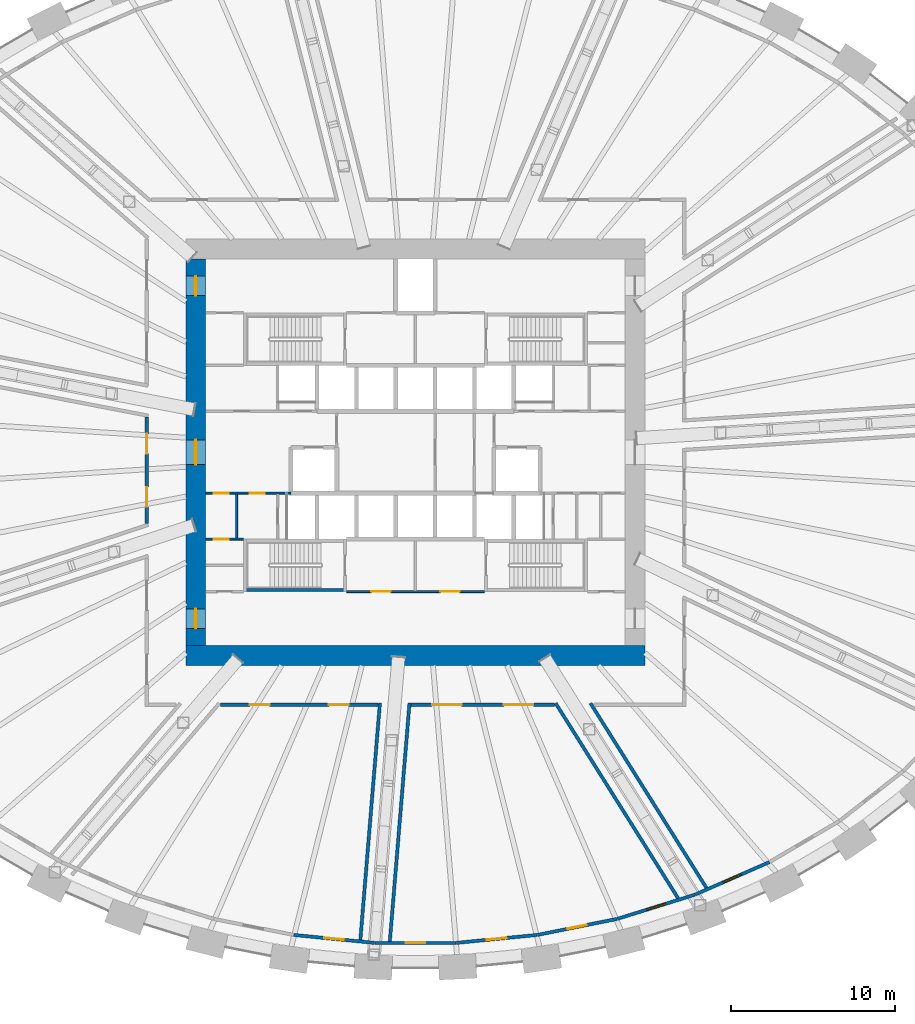
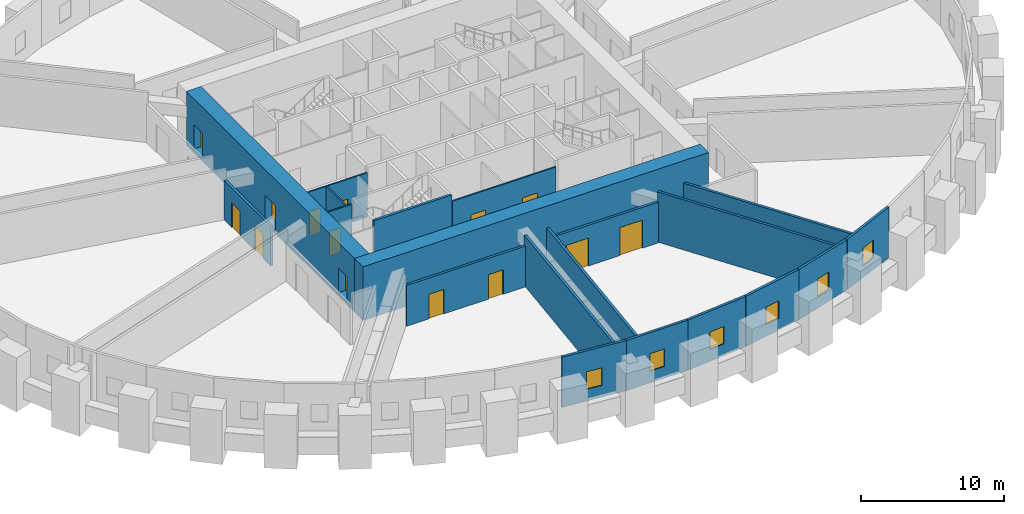
# One storey, part 8 of 14: 20 walls, 14 doors, 6 windows, 20 openings.
"""IFC4 building model written with IfcOpenShell, lengths in metres."""

from ifc_helpers import new_model, si_unit, direction, frame, frame_2d, origin, place, context, subcontext, project, spatial, rectangle, extrude, source, transform, mapped, material, layer, layer_set, type_object, element, fill, save


model = new_model("IFC4")

# Units and contexts
model_context = context("Model", 3, precision=1e-05, world=origin(), true_north=direction((0.0, 1.0)))
body_context = subcontext(model_context, "Body", "Model", "MODEL_VIEW")
ifc_project = project(units=[si_unit("LENGTHUNIT", "METRE"), si_unit("AREAUNIT", "SQUARE_METRE"), si_unit("VOLUMEUNIT", "CUBIC_METRE"), si_unit("PLANEANGLEUNIT", "RADIAN"), si_unit("MASSUNIT", "GRAM", prefix="KILO")], contexts=[model_context])

# Site, building, storey
site_placement = place(None, origin())
site = spatial("IfcSite", under=ifc_project, at=site_placement, CompositionType="ELEMENT")
building_placement = place(site_placement, origin())
building = spatial("IfcBuilding", under=site, at=building_placement, Name="Embergate Tower", CompositionType="ELEMENT")
storey_placement = place(building_placement, frame((0.0, 0.0, 101.0)))
storey = spatial("IfcBuildingStorey", under=building, at=storey_placement, Name="L21", CompositionType="ELEMENT", Elevation=101.0)

# Wall
ifc_material_1 = material(Name="Concrete C80", Category="concrete")
ifc_layer_1 = layer(ifc_material_1, 1.199951171875)
ifc_layer_set_1 = layer_set([ifc_layer_1], Name="Concrete C80")
wall_type_1 = type_object("IfcWallType", Name="Core outer wall C80 1200", PredefinedType="SHEAR", material=ifc_layer_set_1)
shared_shape_1 = source(origin(), body_context, "Body", "SweptSolid", [
    extrude(rectangle(XDim=28.0, YDim=1.199951171875, at=frame_2d((14.0, 0.0))), origin(), (0.0, 0.0, 1.0), 4.60009765625),
])
wall_1_placement = place(storey_placement, frame((-14.0, -12.39990234375, -0.300048828125), z_axis=(0.0, 0.0, 1.0), x_axis=(1.0, 0.0, 0.0)))
element("IfcWall", 1, at=wall_1_placement, inside=storey, type_object=wall_type_1, Name="CW-L21-S", PredefinedType="SHEAR", context=body_context, shape_type="MappedRepresentation", body=[
    mapped(shared_shape_1, transform((0.0, 0.0, 0.0))),
])

# Wall, openings, doors
shared_shape_2 = source(origin(), body_context, "Body", "SweptSolid", [
    extrude(rectangle(XDim=23.60009765625, YDim=1.199951171875, at=frame_2d((11.800048828125, 0.0))), origin(), (0.0, 0.0, 1.0), 4.60009765625),
])
wall_2_placement = place(storey_placement, frame((-13.39990234375, -11.800048828125, -0.300048828125), z_axis=(0.0, 0.0, 1.0), x_axis=(0.0, 1.0, 0.0)))
wall_2 = element("IfcWall", 2, at=wall_2_placement, inside=storey, type_object=wall_type_1, Name="CW-L21-W", PredefinedType="SHEAR", context=body_context, shape_type="MappedRepresentation", body=[
    mapped(shared_shape_2, transform((0.0, 0.0, 0.0))),
])
shared_shape_3 = source(origin(), body_context, "Body", "SweptSolid", [
    extrude(rectangle(XDim=1.199951171875, YDim=2.10009765625, at=frame_2d((0.60009765625, 1.050048828125))), frame((0.0, 0.60986328125, 0.0), z_axis=(0.0, -1.0, 0.0), x_axis=(1.0, 0.0, 0.0)), (0.0, 0.0, 1.0), 1.219970703125),
])
opening_1_placement = place(wall_2_placement, frame((21.35009765625, 0.0, 0.300048828125)))
opening_1 = element("IfcOpeningElement", 3, at=opening_1_placement, cuts=wall_2, Name="Opening IF-1", PredefinedType="OPENING", context=body_context, shape_type="MappedRepresentation", body=[
    mapped(shared_shape_3, transform((0.0, 0.0, 0.0))),
])
opening_2_placement = place(wall_2_placement, frame((1.050048828125, 0.0, 0.300048828125)))
opening_2 = element("IfcOpeningElement", 4, at=opening_2_placement, cuts=wall_2, Name="Opening IF-1", PredefinedType="OPENING", context=body_context, shape_type="MappedRepresentation", body=[
    mapped(shared_shape_3, transform((0.0, 0.0, 0.0))),
])
shared_shape_4 = source(origin(), body_context, "Body", "SweptSolid", [
    extrude(rectangle(XDim=1.5, YDim=2.10009765625, at=frame_2d((0.75, 1.050048828125))), frame((0.0, 0.60986328125, 0.0), z_axis=(0.0, -1.0, 0.0), x_axis=(1.0, 0.0, 0.0)), (0.0, 0.0, 1.0), 1.219970703125),
])
opening_3_placement = place(wall_2_placement, frame((11.050048828125, 0.0, 0.300048828125)))
opening_3 = element("IfcOpeningElement", 5, at=opening_3_placement, cuts=wall_2, Name="Opening IF-3", PredefinedType="OPENING", context=body_context, shape_type="MappedRepresentation", body=[
    mapped(shared_shape_4, transform((0.0, 0.0, 0.0))),
])
ifc_material_2 = material(Name="Escape fire door 1200")
door_type_1 = type_object("IfcDoorType", Name="Escape fire door 1200", OperationType="SINGLE_SWING_LEFT", PredefinedType="DOOR", material=ifc_material_2)
shared_shape_5 = source(origin(), body_context, "Body", "SweptSolid", [
    extrude(rectangle(XDim=1.199951171875, YDim=2.10009765625, at=frame_2d((0.60009765625, 1.050048828125))), frame((0.0, 0.02490234375, 0.0), z_axis=(0.0, -1.0, 0.0), x_axis=(1.0, 0.0, 0.0)), (0.0, 0.0, 1.0), 0.050048828125),
])
door_1_placement = place(opening_1_placement, origin())
door_1 = element("IfcDoor", 6, at=door_1_placement, inside=storey, type_object=door_type_1, Name="IF-1 door", OperationType="SINGLE_SWING_LEFT", OverallHeight=2.10009765625, OverallWidth=1.199951171875, PredefinedType="DOOR", context=body_context, shape_type="MappedRepresentation", body=[
    mapped(shared_shape_5, transform((0.0, 0.0, 0.0))),
])
fill(opening_1, door_1)
door_2_placement = place(opening_2_placement, origin())
door_2 = element("IfcDoor", 7, at=door_2_placement, inside=storey, type_object=door_type_1, Name="IF-1 door", OperationType="SINGLE_SWING_RIGHT", OverallHeight=2.10009765625, OverallWidth=1.199951171875, PredefinedType="DOOR", context=body_context, shape_type="MappedRepresentation", body=[
    mapped(shared_shape_5, transform((0.0, 0.0, 0.0))),
])
fill(opening_2, door_2)
ifc_material_3 = material(Name="Lobby fire door pair 1500")
door_type_2 = type_object("IfcDoorType", Name="Lobby fire door pair 1500", OperationType="DOUBLE_DOOR_SINGLE_SWING", PredefinedType="DOOR", material=ifc_material_3)
shared_shape_6 = source(origin(), body_context, "Body", "SweptSolid", [
    extrude(rectangle(XDim=1.5, YDim=2.10009765625, at=frame_2d((0.75, 1.050048828125))), frame((0.0, 0.02490234375, 0.0), z_axis=(0.0, -1.0, 0.0), x_axis=(1.0, 0.0, 0.0)), (0.0, 0.0, 1.0), 0.050048828125),
])
door_3_placement = place(opening_3_placement, origin())
door_3 = element("IfcDoor", 8, at=door_3_placement, inside=storey, type_object=door_type_2, Name="IF-3 door", OperationType="DOUBLE_DOOR_SINGLE_SWING", OverallHeight=2.10009765625, OverallWidth=1.5, PredefinedType="DOOR", context=body_context, shape_type="MappedRepresentation", body=[
    mapped(shared_shape_6, transform((0.0, 0.0, 0.0))),
])
fill(opening_3, door_3)

# Wall, opening, window
ifc_material_4 = material(Name="Terracotta louvre cladding on insulated backing", Category="masonry")
ifc_layer_2 = layer(ifc_material_4, 0.199951171875)
ifc_layer_set_2 = layer_set([ifc_layer_2], Name="Terracotta louvre cladding on insulated backing")
wall_type_2 = type_object("IfcWallType", Name="Terracotta louvre wall", PredefinedType="SOLIDWALL", material=ifc_layer_set_2)
shared_shape_7 = source(origin(), body_context, "Body", "SweptSolid", [
    extrude(rectangle(XDim=4.9443359375, YDim=0.199951171875, at=frame_2d((2.47216796875, 0.0))), origin(), (0.0, 0.0, 1.0), 4.300048828125),
])
wall_3_placement = place(storey_placement, frame((21.588623046875, -25.009521484375, 0.0), z_axis=(0.0, 0.0, 1.0), x_axis=(-0.916226451808, -0.400660815412, 0.0)))
wall_3 = element("IfcWall", 9, at=wall_3_placement, inside=storey, type_object=wall_type_2, Name="Louvre wall 37", PredefinedType="SOLIDWALL", context=body_context, shape_type="MappedRepresentation", body=[
    mapped(shared_shape_7, transform((0.0, 0.0, 0.0))),
])
shared_shape_8 = source(origin(), body_context, "Body", "SweptSolid", [
    extrude(rectangle(XDim=1.199951171875, YDim=1.5, at=frame_2d((0.60009765625, 0.75))), frame((0.0, 0.10986328125, 0.0), z_axis=(0.0, -1.0, 0.0), x_axis=(1.0, 0.0, 0.0)), (0.0, 0.0, 1.0), 0.219970703125),
])
opening_4_placement = place(wall_3_placement, frame((1.872314453125, 0.0, 1.0)))
opening_4 = element("IfcOpeningElement", 10, at=opening_4_placement, cuts=wall_3, Name="Opening RW", PredefinedType="OPENING", context=body_context, shape_type="MappedRepresentation", body=[
    mapped(shared_shape_8, transform((0.0, 0.0, 0.0))),
])
ifc_material_5 = material(Name="Aluminium, thermally broken, triple glazed", Category="aluminium")
window_type = type_object("IfcWindowType", Name="Refuge operable window", PartitioningType="SINGLE_PANEL", PredefinedType="WINDOW", material=ifc_material_5)
shared_shape_9 = source(origin(), body_context, "Body", "SweptSolid", [
    extrude(rectangle(XDim=1.199951171875, YDim=1.5, at=frame_2d((0.60009765625, 0.75))), frame((0.0, 0.030029296875, 0.0), z_axis=(0.0, -1.0, 0.0), x_axis=(1.0, 0.0, 0.0)), (0.0, 0.0, 1.0), 0.06005859375),
])
window_1_placement = place(opening_4_placement, origin())
window_1 = element("IfcWindow", 11, at=window_1_placement, inside=storey, type_object=window_type, Name="Refuge window 37", OverallHeight=1.5, OverallWidth=1.199951171875, PartitioningType="SINGLE_PANEL", PredefinedType="WINDOW", context=body_context, shape_type="MappedRepresentation", body=[
    mapped(shared_shape_9, transform((0.0, 0.0, 0.0))),
])
fill(opening_4, window_1)

shared_shape_10 = source(origin(), body_context, "Body", "SweptSolid", [
    extrude(rectangle(XDim=4.94775390625, YDim=0.199951171875, at=frame_2d((2.473876953125, 0.0))), origin(), (0.0, 0.0, 1.0), 4.300048828125),
])
wall_4_placement = place(storey_placement, frame((17.039794921875, -26.99755859375, 0.0), z_axis=(0.0, 0.0, 1.0), x_axis=(-0.954768398197, -0.297350476383, 0.0)))
wall_4 = element("IfcWall", 12, at=wall_4_placement, inside=storey, type_object=wall_type_2, Name="Louvre wall 36", PredefinedType="SOLIDWALL", context=body_context, shape_type="MappedRepresentation", body=[
    mapped(shared_shape_10, transform((0.0, 0.0, 0.0))),
])
opening_5_placement = place(wall_4_placement, frame((1.873779296875, 0.0, 1.0)))
opening_5 = element("IfcOpeningElement", 13, at=opening_5_placement, cuts=wall_4, Name="Opening RW", PredefinedType="OPENING", context=body_context, shape_type="MappedRepresentation", body=[
    mapped(shared_shape_8, transform((0.0, 0.0, 0.0))),
])
window_2_placement = place(opening_5_placement, origin())
window_2 = element("IfcWindow", 14, at=window_2_placement, inside=storey, type_object=window_type, Name="Refuge window 36", OverallHeight=1.5, OverallWidth=1.199951171875, PartitioningType="SINGLE_PANEL", PredefinedType="WINDOW", context=body_context, shape_type="MappedRepresentation", body=[
    mapped(shared_shape_9, transform((0.0, 0.0, 0.0))),
])
fill(opening_5, window_2)

shared_shape_11 = source(origin(), body_context, "Body", "SweptSolid", [
    extrude(rectangle(XDim=4.949951171875, YDim=0.199951171875, at=frame_2d((2.47509765625, 0.0))), origin(), (0.0, 0.0, 1.0), 4.300048828125),
])
wall_5_placement = place(storey_placement, frame((12.29638671875, -28.4736328125, 0.0), z_axis=(0.0, 0.0, 1.0), x_axis=(-0.980474299586, -0.196647267591, 0.0)))
wall_5 = element("IfcWall", 15, at=wall_5_placement, inside=storey, type_object=wall_type_2, Name="Louvre wall 35", PredefinedType="SOLIDWALL", context=body_context, shape_type="MappedRepresentation", body=[
    mapped(shared_shape_11, transform((0.0, 0.0, 0.0))),
])
opening_6_placement = place(wall_5_placement, frame((1.875, 0.0, 1.0)))
opening_6 = element("IfcOpeningElement", 16, at=opening_6_placement, cuts=wall_5, Name="Opening RW", PredefinedType="OPENING", context=body_context, shape_type="MappedRepresentation", body=[
    mapped(shared_shape_8, transform((0.0, 0.0, 0.0))),
])
window_3_placement = place(opening_6_placement, origin())
window_3 = element("IfcWindow", 17, at=window_3_placement, inside=storey, type_object=window_type, Name="Refuge window 35", OverallHeight=1.5, OverallWidth=1.199951171875, PartitioningType="SINGLE_PANEL", PredefinedType="WINDOW", context=body_context, shape_type="MappedRepresentation", body=[
    mapped(shared_shape_9, transform((0.0, 0.0, 0.0))),
])
fill(opening_6, window_3)

shared_shape_12 = source(origin(), body_context, "Body", "SweptSolid", [
    extrude(rectangle(XDim=4.951171875, YDim=0.199951171875, at=frame_2d((2.4755859375, 0.0))), origin(), (0.0, 0.0, 1.0), 4.300048828125),
])
wall_6_placement = place(storey_placement, frame((-2.495849609375, -29.934326171875, 0.0), z_axis=(0.0, 0.0, 1.0), x_axis=(-0.995203236417, 0.09782902547, 0.0)))
wall_6 = element("IfcWall", 18, at=wall_6_placement, inside=storey, type_object=wall_type_2, Name="Louvre wall 32", PredefinedType="SOLIDWALL", context=body_context, shape_type="MappedRepresentation", body=[
    mapped(shared_shape_12, transform((0.0, 0.0, 0.0))),
])
opening_7_placement = place(wall_6_placement, frame((1.875732421875, 0.0, 1.0)))
opening_7 = element("IfcOpeningElement", 19, at=opening_7_placement, cuts=wall_6, Name="Opening RW", PredefinedType="OPENING", context=body_context, shape_type="MappedRepresentation", body=[
    mapped(shared_shape_8, transform((0.0, 0.0, 0.0))),
])
window_4_placement = place(opening_7_placement, origin())
window_4 = element("IfcWindow", 20, at=window_4_placement, inside=storey, type_object=window_type, Name="Refuge window 32", OverallHeight=1.5, OverallWidth=1.199951171875, PartitioningType="SINGLE_PANEL", PredefinedType="WINDOW", context=body_context, shape_type="MappedRepresentation", body=[
    mapped(shared_shape_9, transform((0.0, 0.0, 0.0))),
])
fill(opening_7, window_4)

wall_7_placement = place(storey_placement, frame((7.42333984375, -29.449951171875, 0.0), z_axis=(0.0, 0.0, 1.0), x_axis=(-0.995203236417, -0.09782902547, 0.0)))
wall_7 = element("IfcWall", 21, at=wall_7_placement, inside=storey, type_object=wall_type_2, Name="Louvre wall 34", PredefinedType="SOLIDWALL", context=body_context, shape_type="MappedRepresentation", body=[
    mapped(shared_shape_12, transform((0.0, 0.0, 0.0))),
])
opening_8_placement = place(wall_7_placement, frame((1.875732421875, 0.0, 1.0)))
opening_8 = element("IfcOpeningElement", 22, at=opening_8_placement, cuts=wall_7, Name="Opening RW", PredefinedType="OPENING", context=body_context, shape_type="MappedRepresentation", body=[
    mapped(shared_shape_8, transform((0.0, 0.0, 0.0))),
])
window_5_placement = place(opening_8_placement, origin())
window_5 = element("IfcWindow", 23, at=window_5_placement, inside=storey, type_object=window_type, Name="Refuge window 34", OverallHeight=1.5, OverallWidth=1.199951171875, PartitioningType="SINGLE_PANEL", PredefinedType="WINDOW", context=body_context, shape_type="MappedRepresentation", body=[
    mapped(shared_shape_9, transform((0.0, 0.0, 0.0))),
])
fill(opening_8, window_5)

shared_shape_13 = source(origin(), body_context, "Body", "SweptSolid", [
    extrude(rectangle(XDim=4.95166015625, YDim=0.199951171875, at=frame_2d((2.475830078125, 0.0))), origin(), (0.0, 0.0, 1.0), 4.300048828125),
])
wall_8_placement = place(storey_placement, frame((2.475830078125, -29.935302734375, 0.0), z_axis=(0.0, 0.0, 1.0), x_axis=(-1.0, 0.0, 0.0)))
wall_8 = element("IfcWall", 24, at=wall_8_placement, inside=storey, type_object=wall_type_2, Name="Louvre wall 33", PredefinedType="SOLIDWALL", context=body_context, shape_type="MappedRepresentation", body=[
    mapped(shared_shape_13, transform((0.0, 0.0, 0.0))),
])
opening_9_placement = place(wall_8_placement, frame((1.8759765625, 0.0, 1.0)))
opening_9 = element("IfcOpeningElement", 25, at=opening_9_placement, cuts=wall_8, Name="Opening RW", PredefinedType="OPENING", context=body_context, shape_type="MappedRepresentation", body=[
    mapped(shared_shape_8, transform((0.0, 0.0, 0.0))),
])
window_6_placement = place(opening_9_placement, origin())
window_6 = element("IfcWindow", 26, at=window_6_placement, inside=storey, type_object=window_type, Name="Refuge window 33", OverallHeight=1.5, OverallWidth=1.199951171875, PartitioningType="SINGLE_PANEL", PredefinedType="WINDOW", context=body_context, shape_type="MappedRepresentation", body=[
    mapped(shared_shape_9, transform((0.0, 0.0, 0.0))),
])
fill(opening_9, window_6)

# Wall
ifc_material_6 = material(Name="Concrete C50", Category="concrete")
ifc_layer_3 = layer(ifc_material_6, 0.199951171875)
ifc_layer_set_3 = layer_set([ifc_layer_3], Name="Concrete C50")
wall_type_3 = type_object("IfcWallType", Name="Stair enclosure wall reinforced concrete 250", PredefinedType="SHEAR", material=ifc_layer_set_3)
shared_shape_14 = source(origin(), body_context, "Body", "SweptSolid", [
    extrude(rectangle(XDim=6.300048828125, YDim=0.199951171875, at=frame_2d((3.14990234375, 0.0))), origin(), (0.0, 0.0, 1.0), 4.300048828125),
])
wall_9_placement = place(storey_placement, frame((-10.5, -8.39990234375, 0.0), z_axis=(0.0, 0.0, 1.0), x_axis=(1.0, 0.0, 0.0)))
element("IfcWall", 27, at=wall_9_placement, inside=storey, type_object=wall_type_3, Name="SE-1 wall", PredefinedType="SHEAR", context=body_context, shape_type="MappedRepresentation", body=[
    mapped(shared_shape_14, transform((0.0, 0.0, 0.0))),
])

# Wall, openings, doors
ifc_material_7 = material(Name="Core partition blockwork 120")
ifc_layer_4 = layer(ifc_material_7, 0.1201171875)
ifc_layer_set_4 = layer_set([ifc_layer_4], Name="Core partition blockwork 120")
wall_type_4 = type_object("IfcWallType", Name="Core partition blockwork 120", PredefinedType="PARTITIONING", material=ifc_layer_set_4)
shared_shape_15 = source(origin(), body_context, "Body", "SweptSolid", [
    extrude(rectangle(XDim=5.199951171875, YDim=0.1201171875, at=frame_2d((2.60009765625, 0.0))), origin(), (0.0, 0.0, 1.0), 3.800048828125),
])
wall_10_placement = place(storey_placement, frame((-7.60009765625, -2.5, 0.0), z_axis=(0.0, 0.0, 1.0), x_axis=(-1.0, 0.0, 0.0)))
wall_10 = element("IfcWall", 28, at=wall_10_placement, inside=storey, type_object=wall_type_4, Name="IP-3 wall", PredefinedType="PARTITIONING", context=body_context, shape_type="MappedRepresentation", body=[
    mapped(shared_shape_15, transform((0.0, 0.0, 0.0))),
])
shared_shape_16 = source(origin(), body_context, "Body", "SweptSolid", [
    extrude(rectangle(XDim=0.89990234375, YDim=2.10009765625, at=frame_2d((0.449951171875, 1.050048828125))), frame((0.0, 0.070068359375, 0.0), z_axis=(0.0, -1.0, 0.0), x_axis=(1.0, 0.0, 0.0)), (0.0, 0.0, 1.0), 0.14013671875),
])
opening_10_placement = place(wall_10_placement, frame((3.803955078125, 0.0, 0.0)))
opening_10 = element("IfcOpeningElement", 29, at=opening_10_placement, cuts=wall_10, Name="Opening ID-1", PredefinedType="OPENING", context=body_context, shape_type="MappedRepresentation", body=[
    mapped(shared_shape_16, transform((0.0, 0.0, 0.0))),
])
opening_11_placement = place(wall_10_placement, frame((1.60400390625, 0.0, 0.0)))
opening_11 = element("IfcOpeningElement", 30, at=opening_11_placement, cuts=wall_10, Name="Opening ID-1", PredefinedType="OPENING", context=body_context, shape_type="MappedRepresentation", body=[
    mapped(shared_shape_16, transform((0.0, 0.0, 0.0))),
])
ifc_material_8 = material(Name="Interior door 900")
door_type_3 = type_object("IfcDoorType", Name="Interior door 900", OperationType="SINGLE_SWING_LEFT", PredefinedType="DOOR", material=ifc_material_8)
shared_shape_17 = source(origin(), body_context, "Body", "SweptSolid", [
    extrude(rectangle(XDim=0.89990234375, YDim=2.10009765625, at=frame_2d((0.449951171875, 1.050048828125))), frame((0.0, 0.02490234375, 0.0), z_axis=(0.0, -1.0, 0.0), x_axis=(1.0, 0.0, 0.0)), (0.0, 0.0, 1.0), 0.050048828125),
])
door_4_placement = place(opening_10_placement, origin())
door_4 = element("IfcDoor", 31, at=door_4_placement, inside=storey, type_object=door_type_3, Name="ID-1 door", OperationType="SINGLE_SWING_LEFT", OverallHeight=2.10009765625, OverallWidth=0.89990234375, PredefinedType="DOOR", context=body_context, shape_type="MappedRepresentation", body=[
    mapped(shared_shape_17, transform((0.0, 0.0, 0.0))),
])
fill(opening_10, door_4)
door_5_placement = place(opening_11_placement, origin())
door_5 = element("IfcDoor", 32, at=door_5_placement, inside=storey, type_object=door_type_3, Name="ID-1 door", OperationType="SINGLE_SWING_RIGHT", OverallHeight=2.10009765625, OverallWidth=0.89990234375, PredefinedType="DOOR", context=body_context, shape_type="MappedRepresentation", body=[
    mapped(shared_shape_17, transform((0.0, 0.0, 0.0))),
])
fill(opening_11, door_5)

shared_shape_18 = source(origin(), body_context, "Body", "SweptSolid", [
    extrude(rectangle(XDim=8.39990234375, YDim=0.1201171875, at=frame_2d((4.199951171875, 0.0))), origin(), (0.0, 0.0, 1.0), 3.800048828125),
])
wall_11_placement = place(storey_placement, frame((-4.199951171875, -8.5, 0.0), z_axis=(0.0, 0.0, 1.0), x_axis=(1.0, 0.0, 0.0)))
wall_11 = element("IfcWall", 33, at=wall_11_placement, inside=storey, type_object=wall_type_4, Name="IP-3 wall", PredefinedType="PARTITIONING", context=body_context, shape_type="MappedRepresentation", body=[
    mapped(shared_shape_18, transform((0.0, 0.0, 0.0))),
])
shared_shape_19 = source(origin(), body_context, "Body", "SweptSolid", [
    extrude(rectangle(XDim=1.199951171875, YDim=2.10009765625, at=frame_2d((0.60009765625, 1.050048828125))), frame((0.0, 0.070068359375, 0.0), z_axis=(0.0, -1.0, 0.0), x_axis=(1.0, 0.0, 0.0)), (0.0, 0.0, 1.0), 0.14013671875),
])
opening_12_placement = place(wall_11_placement, frame((1.5, 0.0, 0.0)))
opening_12 = element("IfcOpeningElement", 34, at=opening_12_placement, cuts=wall_11, Name="Opening IF-3f", PredefinedType="OPENING", context=body_context, shape_type="MappedRepresentation", body=[
    mapped(shared_shape_19, transform((0.0, 0.0, 0.0))),
])
opening_13_placement = place(wall_11_placement, frame((5.699951171875, 0.0, 0.0)))
opening_13 = element("IfcOpeningElement", 35, at=opening_13_placement, cuts=wall_11, Name="Opening IF-3f", PredefinedType="OPENING", context=body_context, shape_type="MappedRepresentation", body=[
    mapped(shared_shape_19, transform((0.0, 0.0, 0.0))),
])
ifc_material_9 = material(Name="Lobby fire door pair 1200")
door_type_4 = type_object("IfcDoorType", Name="Lobby fire door pair 1200", OperationType="DOUBLE_DOOR_SINGLE_SWING", PredefinedType="DOOR", material=ifc_material_9)
door_6_placement = place(opening_12_placement, origin())
door_6 = element("IfcDoor", 36, at=door_6_placement, inside=storey, type_object=door_type_4, Name="IF-3 door", OperationType="DOUBLE_DOOR_SINGLE_SWING", OverallHeight=2.10009765625, OverallWidth=1.199951171875, PredefinedType="DOOR", context=body_context, shape_type="MappedRepresentation", body=[
    mapped(shared_shape_5, transform((0.0, 0.0, 0.0))),
])
fill(opening_12, door_6)
door_7_placement = place(opening_13_placement, origin())
door_7 = element("IfcDoor", 37, at=door_7_placement, inside=storey, type_object=door_type_4, Name="IF-3 door", OperationType="DOUBLE_DOOR_SINGLE_SWING", OverallHeight=2.10009765625, OverallWidth=1.199951171875, PredefinedType="DOOR", context=body_context, shape_type="MappedRepresentation", body=[
    mapped(shared_shape_5, transform((0.0, 0.0, 0.0))),
])
fill(opening_13, door_7)

# Wall, opening, door
shared_shape_20 = source(origin(), body_context, "Body", "SweptSolid", [
    extrude(rectangle(XDim=2.300048828125, YDim=0.1201171875, at=frame_2d((1.14990234375, 0.0))), origin(), (0.0, 0.0, 1.0), 3.800048828125),
])
wall_12_placement = place(storey_placement, frame((-12.800048828125, -5.300048828125, 0.0), z_axis=(0.0, 0.0, 1.0), x_axis=(1.0, 0.0, 0.0)))
wall_12 = element("IfcWall", 38, at=wall_12_placement, inside=storey, type_object=wall_type_4, Name="IP-3 wall", PredefinedType="PARTITIONING", context=body_context, shape_type="MappedRepresentation", body=[
    mapped(shared_shape_20, transform((0.0, 0.0, 0.0))),
])
opening_14_placement = place(wall_12_placement, frame((0.49609375, 0.0, 0.0)))
opening_14 = element("IfcOpeningElement", 39, at=opening_14_placement, cuts=wall_12, Name="Opening ID-1", PredefinedType="OPENING", context=body_context, shape_type="MappedRepresentation", body=[
    mapped(shared_shape_16, transform((0.0, 0.0, 0.0))),
])
door_8_placement = place(opening_14_placement, origin())
door_8 = element("IfcDoor", 40, at=door_8_placement, inside=storey, type_object=door_type_3, Name="ID-1 door", OperationType="SINGLE_SWING_LEFT", OverallHeight=2.10009765625, OverallWidth=0.89990234375, PredefinedType="DOOR", context=body_context, shape_type="MappedRepresentation", body=[
    mapped(shared_shape_17, transform((0.0, 0.0, 0.0))),
])
fill(opening_14, door_8)

# Wall
shared_shape_21 = source(origin(), body_context, "Body", "SweptSolid", [
    extrude(rectangle(XDim=2.679931640625, YDim=0.1201171875, at=frame_2d((1.33984375, 0.0))), origin(), (0.0, 0.0, 1.0), 3.800048828125),
])
wall_13_placement = place(storey_placement, frame((-10.907958984375, -5.239990234375, 0.0), z_axis=(0.0, 0.0, 1.0), x_axis=(0.0, 1.0, 0.0)))
element("IfcWall", 41, at=wall_13_placement, inside=storey, type_object=wall_type_4, Name="IP-3 wall", PredefinedType="PARTITIONING", context=body_context, shape_type="MappedRepresentation", body=[
    mapped(shared_shape_21, transform((0.0, 0.0, 0.0))),
])

# Wall, openings, doors
ifc_material_10 = material(Name="Blockwork, plastered", Category="masonry")
ifc_layer_5 = layer(ifc_material_10, 0.199951171875)
ifc_layer_set_5 = layer_set([ifc_layer_5], Name="Blockwork, plastered")
wall_type_5 = type_object("IfcWallType", Name="Fire partition wall 200 block", PredefinedType="PARTITIONING", material=ifc_layer_set_5)
shared_shape_22 = source(origin(), body_context, "Body", "SweptSolid", [
    extrude(rectangle(XDim=6.4970703125, YDim=0.199951171875, at=frame_2d((3.24853515625, 0.0))), origin(), (0.0, 0.0, 1.0), 3.39990234375),
])
wall_14_placement = place(storey_placement, frame((-16.39990234375, -4.35009765625, 0.0), z_axis=(0.0, 0.0, 1.0), x_axis=(0.0, 1.0, 0.0)))
wall_14 = element("IfcWall", 42, at=wall_14_placement, inside=storey, type_object=wall_type_5, Name="Partition 007", PredefinedType="PARTITIONING", context=body_context, shape_type="MappedRepresentation", body=[
    mapped(shared_shape_22, transform((0.0, 0.0, 0.0))),
])
shared_shape_23 = source(origin(), body_context, "Body", "SweptSolid", [
    extrude(rectangle(XDim=1.199951171875, YDim=2.10009765625, at=frame_2d((0.60009765625, 1.050048828125))), frame((0.0, 0.10986328125, 0.0), z_axis=(0.0, -1.0, 0.0), x_axis=(1.0, 0.0, 0.0)), (0.0, 0.0, 1.0), 0.219970703125),
])
opening_15_placement = place(wall_14_placement, frame((1.02392578125, 0.0, 0.0)))
opening_15 = element("IfcOpeningElement", 43, at=opening_15_placement, cuts=wall_14, Name="Opening DS-165", PredefinedType="OPENING", context=body_context, shape_type="MappedRepresentation", body=[
    mapped(shared_shape_23, transform((0.0, 0.0, 0.0))),
])
opening_16_placement = place(wall_14_placement, frame((4.27294921875, 0.0, 0.0)))
opening_16 = element("IfcOpeningElement", 44, at=opening_16_placement, cuts=wall_14, Name="Opening DS-166", PredefinedType="OPENING", context=body_context, shape_type="MappedRepresentation", body=[
    mapped(shared_shape_23, transform((0.0, 0.0, 0.0))),
])
ifc_material_11 = material(Name="Timber door leaf, steel frame", Category="steel")
door_type_5 = type_object("IfcDoorType", Name="Plant door 1200x2100", OperationType="SINGLE_SWING_LEFT", PredefinedType="DOOR", material=ifc_material_11)
shared_shape_24 = source(origin(), body_context, "Body", "SweptSolid", [
    extrude(rectangle(XDim=1.199951171875, YDim=2.10009765625, at=frame_2d((0.60009765625, 1.050048828125))), frame((0.0, 0.02490234375, 0.0), z_axis=(0.0, -1.0, 0.0), x_axis=(1.0, 0.0, 0.0)), (0.0, 0.0, 1.0), 0.050048828125),
])
door_9_placement = place(opening_15_placement, origin())
door_9 = element("IfcDoor", 45, at=door_9_placement, inside=storey, type_object=door_type_5, Name="Door to Air handling plant room", OperationType="SINGLE_SWING_LEFT", OverallHeight=2.10009765625, OverallWidth=1.199951171875, PredefinedType="DOOR", context=body_context, shape_type="MappedRepresentation", body=[
    mapped(shared_shape_24, transform((0.0, 0.0, 0.0))),
])
fill(opening_15, door_9)
door_10_placement = place(opening_16_placement, origin())
door_10 = element("IfcDoor", 46, at=door_10_placement, inside=storey, type_object=door_type_5, Name="Door to Air handling plant room", OperationType="SINGLE_SWING_LEFT", OverallHeight=2.10009765625, OverallWidth=1.199951171875, PredefinedType="DOOR", context=body_context, shape_type="MappedRepresentation", body=[
    mapped(shared_shape_24, transform((0.0, 0.0, 0.0))),
])
fill(opening_16, door_10)

shared_shape_25 = source(origin(), body_context, "Body", "SweptSolid", [
    extrude(rectangle(XDim=9.633056640625, YDim=0.199951171875, at=frame_2d((4.81640625, 0.0))), origin(), (0.0, 0.0, 1.0), 3.5),
])
wall_15_placement = place(storey_placement, frame((-2.27490234375, -15.39990234375, 0.0), z_axis=(0.0, 0.0, 1.0), x_axis=(-1.0, 0.0, 0.0)))
wall_15 = element("IfcWall", 47, at=wall_15_placement, inside=storey, type_object=wall_type_5, Name="Partition 017", PredefinedType="PARTITIONING", context=body_context, shape_type="MappedRepresentation", body=[
    mapped(shared_shape_25, transform((0.0, 0.0, 0.0))),
])
opening_17_placement = place(wall_15_placement, frame((1.80810546875, 0.0, 0.0)))
opening_17 = element("IfcOpeningElement", 48, at=opening_17_placement, cuts=wall_15, Name="Opening DS-169", PredefinedType="OPENING", context=body_context, shape_type="MappedRepresentation", body=[
    mapped(shared_shape_23, transform((0.0, 0.0, 0.0))),
])
opening_18_placement = place(wall_15_placement, frame((6.625, 0.0, 0.0)))
opening_18 = element("IfcOpeningElement", 49, at=opening_18_placement, cuts=wall_15, Name="Opening DS-170", PredefinedType="OPENING", context=body_context, shape_type="MappedRepresentation", body=[
    mapped(shared_shape_23, transform((0.0, 0.0, 0.0))),
])
door_11_placement = place(opening_17_placement, origin())
door_11 = element("IfcDoor", 50, at=door_11_placement, inside=storey, type_object=door_type_5, Name="Door to Transformer room", OperationType="SINGLE_SWING_LEFT", OverallHeight=2.10009765625, OverallWidth=1.199951171875, PredefinedType="DOOR", context=body_context, shape_type="MappedRepresentation", body=[
    mapped(shared_shape_24, transform((0.0, 0.0, 0.0))),
])
fill(opening_17, door_11)
door_12_placement = place(opening_18_placement, origin())
door_12 = element("IfcDoor", 51, at=door_12_placement, inside=storey, type_object=door_type_5, Name="Door to Transformer room", OperationType="SINGLE_SWING_LEFT", OverallHeight=2.10009765625, OverallWidth=1.199951171875, PredefinedType="DOOR", context=body_context, shape_type="MappedRepresentation", body=[
    mapped(shared_shape_24, transform((0.0, 0.0, 0.0))),
])
fill(opening_18, door_12)

# Walls
shared_shape_26 = source(origin(), body_context, "Body", "SweptSolid", [
    extrude(rectangle(XDim=14.50830078125, YDim=0.199951171875, at=frame_2d((7.254150390625, 0.0))), origin(), (0.0, 0.0, 1.0), 4.300048828125),
])
wall_16_placement = place(storey_placement, frame((-2.1669921875, -15.300048828125, 0.0), z_axis=(0.0, 0.0, 1.0), x_axis=(-0.082304571275, -0.996607223307, 0.0)))
element("IfcWall", 52, at=wall_16_placement, inside=storey, type_object=wall_type_5, Name="Partition 018", PredefinedType="PARTITIONING", context=body_context, shape_type="MappedRepresentation", body=[
    mapped(shared_shape_26, transform((0.0, 0.0, 0.0))),
])
shared_shape_27 = source(origin(), body_context, "Body", "SweptSolid", [
    extrude(rectangle(XDim=14.595458984375, YDim=0.199951171875, at=frame_2d((7.2978515625, 0.0))), origin(), (0.0, 0.0, 1.0), 4.300048828125),
])
wall_17_placement = place(storey_placement, frame((-1.56201171875, -29.845947265625, 0.0), z_axis=(0.0, 0.0, 1.0), x_axis=(0.08228130883, 0.996609144157, 0.0)))
element("IfcWall", 53, at=wall_17_placement, inside=storey, type_object=wall_type_5, Name="Partition 019", PredefinedType="PARTITIONING", context=body_context, shape_type="MappedRepresentation", body=[
    mapped(shared_shape_27, transform((0.0, 0.0, 0.0))),
])

# Wall, openings, doors
shared_shape_28 = source(origin(), body_context, "Body", "SweptSolid", [
    extrude(rectangle(XDim=8.7470703125, YDim=0.199951171875, at=frame_2d((4.37353515625, 0.0))), origin(), (0.0, 0.0, 1.0), 3.5),
])
wall_18_placement = place(storey_placement, frame((8.47802734375, -15.39990234375, 0.0), z_axis=(0.0, 0.0, 1.0), x_axis=(-1.0, 0.0, 0.0)))
wall_18 = element("IfcWall", 54, at=wall_18_placement, inside=storey, type_object=wall_type_5, Name="Partition 022", PredefinedType="PARTITIONING", context=body_context, shape_type="MappedRepresentation", body=[
    mapped(shared_shape_28, transform((0.0, 0.0, 0.0))),
])
shared_shape_29 = source(origin(), body_context, "Body", "SweptSolid", [
    extrude(rectangle(XDim=1.800048828125, YDim=2.39990234375, at=frame_2d((0.89990234375, 1.199951171875))), frame((0.0, 0.10986328125, 0.0), z_axis=(0.0, -1.0, 0.0), x_axis=(1.0, 0.0, 0.0)), (0.0, 0.0, 1.0), 0.219970703125),
])
opening_19_placement = place(wall_18_placement, frame((1.287109375, 0.0, 0.0)))
opening_19 = element("IfcOpeningElement", 55, at=opening_19_placement, cuts=wall_18, Name="Opening DS-171", PredefinedType="OPENING", context=body_context, shape_type="MappedRepresentation", body=[
    mapped(shared_shape_29, transform((0.0, 0.0, 0.0))),
])
opening_20_placement = place(wall_18_placement, frame((5.659912109375, 0.0, 0.0)))
opening_20 = element("IfcOpeningElement", 56, at=opening_20_placement, cuts=wall_18, Name="Opening DS-172", PredefinedType="OPENING", context=body_context, shape_type="MappedRepresentation", body=[
    mapped(shared_shape_29, transform((0.0, 0.0, 0.0))),
])
door_type_6 = type_object("IfcDoorType", Name="Double door 1800x2400", OperationType="DOUBLE_DOOR_SINGLE_SWING", PredefinedType="DOOR", material=ifc_material_11)
shared_shape_30 = source(origin(), body_context, "Body", "SweptSolid", [
    extrude(rectangle(XDim=1.800048828125, YDim=2.39990234375, at=frame_2d((0.89990234375, 1.199951171875))), frame((0.0, 0.02490234375, 0.0), z_axis=(0.0, -1.0, 0.0), x_axis=(1.0, 0.0, 0.0)), (0.0, 0.0, 1.0), 0.050048828125),
])
door_13_placement = place(opening_19_placement, origin())
door_13 = element("IfcDoor", 57, at=door_13_placement, inside=storey, type_object=door_type_6, Name="Door to Refuge area", OperationType="SINGLE_SWING_LEFT", OverallHeight=2.39990234375, OverallWidth=1.800048828125, PredefinedType="DOOR", context=body_context, shape_type="MappedRepresentation", body=[
    mapped(shared_shape_30, transform((0.0, 0.0, 0.0))),
])
fill(opening_19, door_13)
door_14_placement = place(opening_20_placement, origin())
door_14 = element("IfcDoor", 58, at=door_14_placement, inside=storey, type_object=door_type_6, Name="Door to Refuge area", OperationType="SINGLE_SWING_LEFT", OverallHeight=2.39990234375, OverallWidth=1.800048828125, PredefinedType="DOOR", context=body_context, shape_type="MappedRepresentation", body=[
    mapped(shared_shape_30, transform((0.0, 0.0, 0.0))),
])
fill(opening_20, door_14)

# Walls
shared_shape_31 = source(origin(), body_context, "Body", "SweptSolid", [
    extrude(rectangle(XDim=14.0380859375, YDim=0.199951171875, at=frame_2d((7.01904296875, 0.0))), origin(), (0.0, 0.0, 1.0), 4.300048828125),
])
wall_19_placement = place(storey_placement, frame((8.554931640625, -15.31494140625, 0.0), z_axis=(0.0, 0.0, 1.0), x_axis=(0.531847032499, -0.846840441891, 0.0)))
element("IfcWall", 59, at=wall_19_placement, inside=storey, type_object=wall_type_5, Name="Partition 023", PredefinedType="PARTITIONING", context=body_context, shape_type="MappedRepresentation", body=[
    mapped(shared_shape_31, transform((0.0, 0.0, 0.0))),
])
shared_shape_32 = source(origin(), body_context, "Body", "SweptSolid", [
    extrude(rectangle(XDim=13.303466796875, YDim=0.199951171875, at=frame_2d((6.65185546875, 0.0))), origin(), (0.0, 0.0, 1.0), 4.300048828125),
])
wall_20_placement = place(storey_placement, frame((17.756103515625, -26.5810546875, 0.0), z_axis=(0.0, 0.0, 1.0), x_axis=(-0.531828738365, 0.846851931007, 0.0)))
element("IfcWall", 60, at=wall_20_placement, inside=storey, type_object=wall_type_5, Name="Partition 033", PredefinedType="PARTITIONING", context=body_context, shape_type="MappedRepresentation", body=[
    mapped(shared_shape_32, transform((0.0, 0.0, 0.0))),
])

save(model, "model.ifc")
